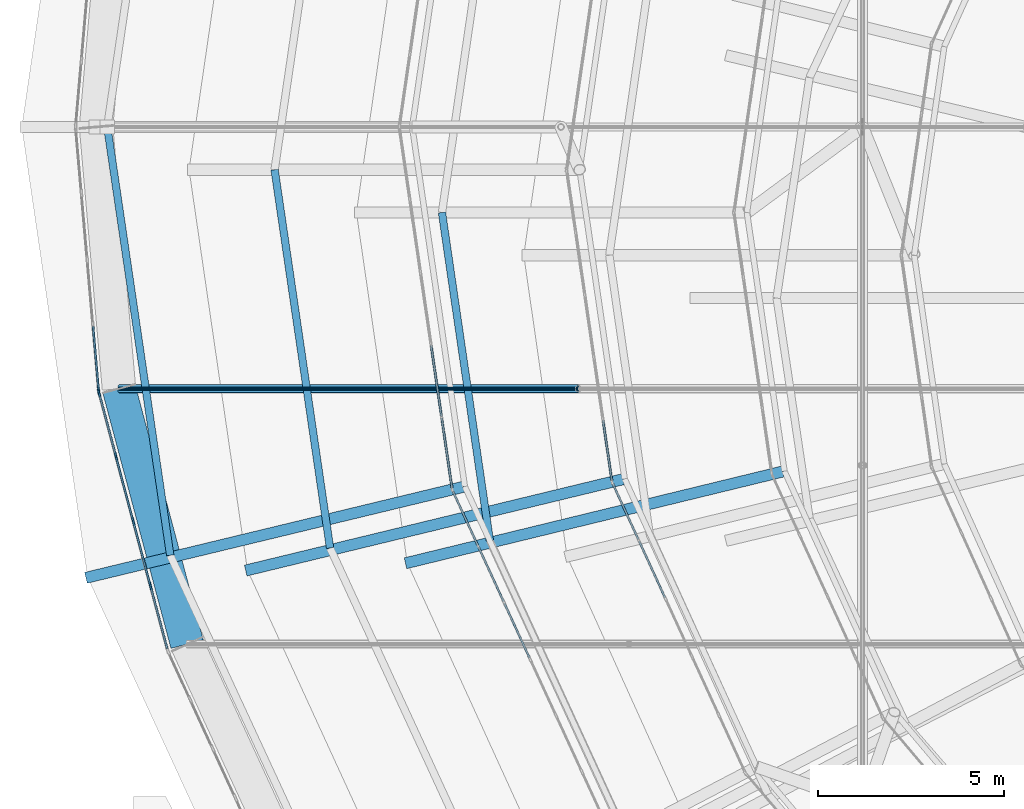
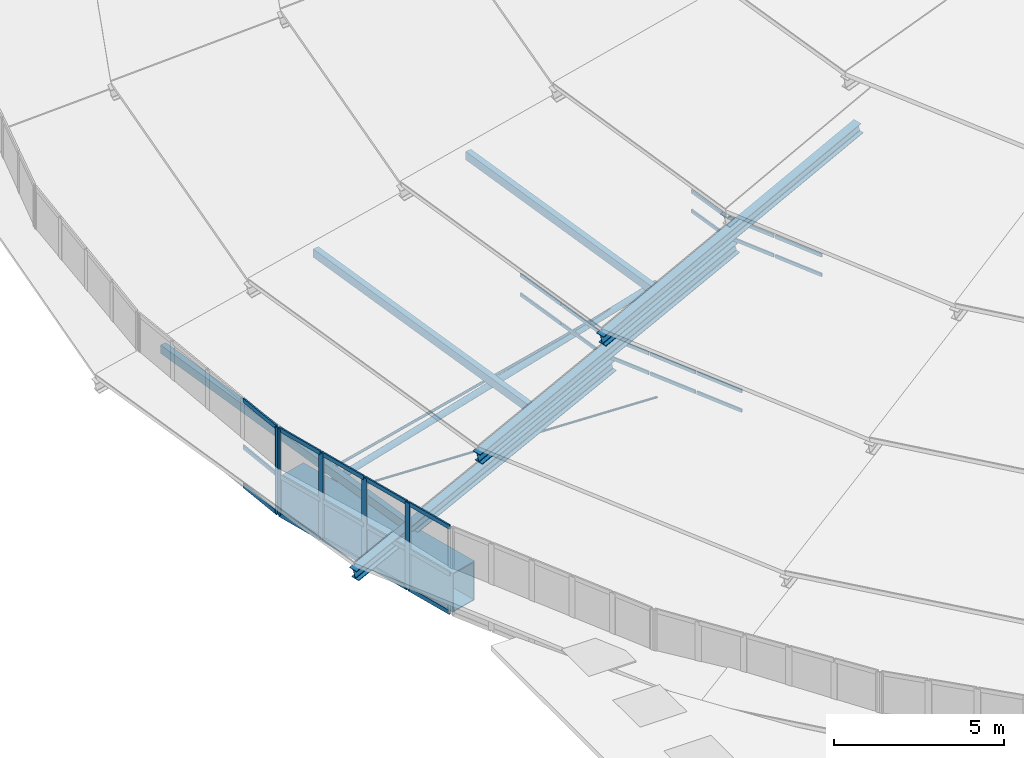
# One storey, part 31 of 173: 45 members, 1 beam, 6 elements without a shape of their own.
"""IFC4 building model written with IfcOpenShell, lengths in metres."""

from ifc_helpers import new_model, si_unit, direction, frame, origin, origin_2d, place, context, subcontext, project, spatial, rectangle, hollow_rectangle, circle, hollow_circle, i_section, extrude, material, material_profile, profile_set, type_object, element, aggregate, save


model = new_model("IFC4")

# Units and contexts
model_context = context("Model", 3, precision=1e-05, world=origin(), true_north=direction((0.0, 1.0)))
body_context = subcontext(model_context, "Body", "Model", "MODEL_VIEW")
ifc_project = project(units=[si_unit("LENGTHUNIT", "METRE"), si_unit("AREAUNIT", "SQUARE_METRE"), si_unit("VOLUMEUNIT", "CUBIC_METRE"), si_unit("PLANEANGLEUNIT", "RADIAN"), si_unit("MASSUNIT", "GRAM", prefix="KILO")], contexts=[model_context])

# Site, building, storey
site_placement = place(None, origin())
site = spatial("IfcSite", under=ifc_project, at=site_placement, CompositionType="ELEMENT")
building_placement = place(site_placement, origin())
building = spatial("IfcBuilding", under=site, at=building_placement, Name="Glasvene Arena", CompositionType="ELEMENT")
storey_placement = place(building_placement, frame((0.0, 0.0, 28.800048828125)))
storey = spatial("IfcBuildingStorey", under=building, at=storey_placement, Name="RF", CompositionType="ELEMENT", Elevation=28.800048828125)

# Beam
ifc_material_1 = material(Name="Steel S355J2", Category="steel")
ifc_material_profile_1 = material_profile(ifc_material_1, hollow_rectangle(XDim=0.89990234375, YDim=1.39990234375, WallThickness=0.034912109375, at=origin_2d()), Name="WBOX 900x1400x35")
ifc_profile_set_1 = profile_set([ifc_material_profile_1], Name="Steel S355J2")
beam_type = type_object("IfcBeamType", Name="BM-RING-BOX1400", PredefinedType="USERDEFINED", material=ifc_profile_set_1)
beam_placement = place(storey_placement, frame((42.615478515625, 65.96044921875, -0.699951171875), z_axis=(0.257767425424, -0.966206993553, 0.0), x_axis=(0.966206993553, 0.257767425424, 0.0)))
element("IfcBeam", 1, at=beam_placement, inside=storey, type_object=beam_type, Name="Compression ring beam chord RB-22", ObjectType="RING BEAM", PredefinedType="USERDEFINED", context=body_context, shape_type="SweptSolid", body=[
    extrude(hollow_rectangle(XDim=0.89990234375, YDim=1.39990234375, WallThickness=0.034912109375, at=origin_2d()), origin(), (0.0, 0.0, 1.0), 7.1064453125),
])

# Curtain wall, member
ifc_material_2 = material(Name="Low-emissivity laminated double glazing", Category="glass")
curtain_wall_type_1 = type_object("IfcCurtainWallType", Name="CW-DRUM-715x310", PredefinedType="USERDEFINED", material=ifc_material_2)
curtain_wall_1_placement = place(storey_placement, frame((41.449951171875, 73.0, 0.0)))
curtain_wall_1 = element("IfcCurtainWall", 2, at=curtain_wall_1_placement, inside=storey, type_object=curtain_wall_type_1, Name="Crown compression-ring fascia curtain wall 21", ObjectType="CURTAIN WALL", PredefinedType="USERDEFINED")
ifc_material_3 = material(Name="Anodised architectural aluminium", Category="aluminium")
ifc_material_profile_2 = material_profile(ifc_material_3, rectangle(XDim=0.050048828125, YDim=0.199951171875, at=origin_2d()), Name="ALU MULLION 50x200")
ifc_profile_set_2 = profile_set([ifc_material_profile_2], Name="Anodised architectural aluminium")
member_type_1 = type_object("IfcMemberType", Name="CW-MUL-180", PredefinedType="MULLION", material=ifc_profile_set_2)
member_1_placement = place(storey_placement, frame((42.0703125, 65.8994140625, -1.380126953125), z_axis=(0.0, 0.0, 1.0), x_axis=(0.996206938771, 0.0870157178, 0.0)))
member_1 = element("IfcMember", 3, at=member_1_placement, type_object=member_type_1, Name="CW-071 mullion 5", PredefinedType="MULLION", context=body_context, shape_type="SweptSolid", body=[
    extrude(rectangle(XDim=0.050048828125, YDim=0.199951171875, at=origin_2d()), origin(), (0.0, 0.0, 1.0), 3.10009765625),
])

# Curtain wall, members
curtain_wall_type_2 = type_object("IfcCurtainWallType", Name="CW-DRUM-719x310", PredefinedType="USERDEFINED", material=ifc_material_2)
curtain_wall_2_placement = place(storey_placement, frame((42.072509765625, 65.87451171875, 0.0)))
curtain_wall_2 = element("IfcCurtainWall", 4, at=curtain_wall_2_placement, inside=storey, type_object=curtain_wall_type_2, Name="Crown compression-ring fascia curtain wall 22", ObjectType="CURTAIN WALL", PredefinedType="USERDEFINED")
member_2_placement = place(storey_placement, frame((42.078857421875, 65.850341796875, -1.380126953125), z_axis=(0.0, 0.0, 1.0), x_axis=(0.966292374807, 0.257447172039, 0.0)))
member_2 = element("IfcMember", 5, at=member_2_placement, type_object=member_type_1, Name="CW-072 mullion 1", PredefinedType="MULLION", context=body_context, shape_type="SweptSolid", body=[
    extrude(rectangle(XDim=0.050048828125, YDim=0.199951171875, at=origin_2d()), origin(), (0.0, 0.0, 1.0), 3.10009765625),
])
member_3_placement = place(storey_placement, frame((42.535400390625, 64.136962890625, -1.380126953125), z_axis=(0.0, 0.0, 1.0), x_axis=(0.966292374807, 0.257447172039, 0.0)))
member_3 = element("IfcMember", 6, at=member_3_placement, type_object=member_type_1, Name="CW-072 mullion 2", PredefinedType="MULLION", context=body_context, shape_type="SweptSolid", body=[
    extrude(rectangle(XDim=0.050048828125, YDim=0.199951171875, at=origin_2d()), origin(), (0.0, 0.0, 1.0), 3.10009765625),
])
member_4_placement = place(storey_placement, frame((42.998291015625, 62.3994140625, -1.380126953125), z_axis=(0.0, 0.0, 1.0), x_axis=(0.966292374807, 0.257447172039, 0.0)))
member_4 = element("IfcMember", 7, at=member_4_placement, type_object=member_type_1, Name="CW-072 mullion 3", PredefinedType="MULLION", context=body_context, shape_type="SweptSolid", body=[
    extrude(rectangle(XDim=0.050048828125, YDim=0.199951171875, at=origin_2d()), origin(), (0.0, 0.0, 1.0), 3.10009765625),
])
member_5_placement = place(storey_placement, frame((43.461181640625, 60.661865234375, -1.380126953125), z_axis=(0.0, 0.0, 1.0), x_axis=(0.966292374807, 0.257447172039, 0.0)))
member_5 = element("IfcMember", 8, at=member_5_placement, type_object=member_type_1, Name="CW-072 mullion 4", PredefinedType="MULLION", context=body_context, shape_type="SweptSolid", body=[
    extrude(rectangle(XDim=0.050048828125, YDim=0.199951171875, at=origin_2d()), origin(), (0.0, 0.0, 1.0), 3.10009765625),
])

curtain_wall_type_3 = type_object("IfcCurtainWallType", Name="CW-PET1-986x75", PredefinedType="USERDEFINED", material=ifc_material_2)
curtain_wall_3_placement = place(storey_placement, frame((50.14990234375, 73.0, 0.0)))
curtain_wall_3 = element("IfcCurtainWall", 9, at=curtain_wall_3_placement, inside=storey, type_object=curtain_wall_type_3, Name="Petal ring 1-2 clerestory curtain wall 13", ObjectType="CURTAIN WALL", PredefinedType="USERDEFINED")
ifc_material_profile_3 = material_profile(ifc_material_3, rectangle(XDim=0.050048828125, YDim=0.1201171875, at=origin_2d()), Name="ALU TRANSOM 50x120")
ifc_profile_set_3 = profile_set([ifc_material_profile_3], Name="Anodised architectural aluminium")
member_type_2 = type_object("IfcMemberType", Name="CW-TRN-120", PredefinedType="USERDEFINED", material=ifc_profile_set_3)
member_6_placement = place(storey_placement, frame((51.00927734375, 67.120849609375, 2.60498046875), z_axis=(0.144532293107, -0.989500084007, 0.0), x_axis=(0.989500084007, 0.144532293107, 0.0)))
member_6 = element("IfcMember", 10, at=member_6_placement, type_object=member_type_2, Name="CW-081 transom 4.1", ObjectType="TRANSOM", PredefinedType="USERDEFINED", context=body_context, shape_type="SweptSolid", body=[
    extrude(rectangle(XDim=0.050048828125, YDim=0.1201171875, at=origin_2d()), origin(), (0.0, 0.0, 1.0), 1.92236328125),
])
member_7_placement = place(storey_placement, frame((51.00927734375, 67.120849609375, 3.304931640625), z_axis=(0.144532293107, -0.989500084007, 0.0), x_axis=(0.989500084007, 0.144532293107, 0.0)))
member_7 = element("IfcMember", 11, at=member_7_placement, type_object=member_type_2, Name="CW-081 transom 4.2", ObjectType="TRANSOM", PredefinedType="USERDEFINED", context=body_context, shape_type="SweptSolid", body=[
    extrude(rectangle(XDim=0.050048828125, YDim=0.1201171875, at=origin_2d()), origin(), (0.0, 0.0, 1.0), 1.92236328125),
])
member_8_placement = place(storey_placement, frame((51.29443359375, 65.169189453125, 2.60498046875), z_axis=(0.144645532011, -0.989483537038, 0.0), x_axis=(0.989483537038, 0.144645532011, 0.0)))
member_8 = element("IfcMember", 12, at=member_8_placement, type_object=member_type_2, Name="CW-081 transom 5.1", ObjectType="TRANSOM", PredefinedType="USERDEFINED", context=body_context, shape_type="SweptSolid", body=[
    extrude(rectangle(XDim=0.050048828125, YDim=0.1201171875, at=origin_2d()), origin(), (0.0, 0.0, 1.0), 1.897216796875),
])
member_9_placement = place(storey_placement, frame((51.29443359375, 65.169189453125, 3.304931640625), z_axis=(0.144645532011, -0.989483537038, 0.0), x_axis=(0.989483537038, 0.144645532011, 0.0)))
member_9 = element("IfcMember", 13, at=member_9_placement, type_object=member_type_2, Name="CW-081 transom 5.2", ObjectType="TRANSOM", PredefinedType="USERDEFINED", context=body_context, shape_type="SweptSolid", body=[
    extrude(rectangle(XDim=0.050048828125, YDim=0.1201171875, at=origin_2d()), origin(), (0.0, 0.0, 1.0), 1.897216796875),
])
aggregate(curtain_wall_3, [member_6, member_7, member_8, member_9])

curtain_wall_type_4 = type_object("IfcCurtainWallType", Name="CW-PET1-1001x75", PredefinedType="USERDEFINED", material=ifc_material_2)
curtain_wall_4_placement = place(storey_placement, frame((51.575927734375, 63.242431640625, 0.0)))
curtain_wall_4 = element("IfcCurtainWall", 14, at=curtain_wall_4_placement, inside=storey, type_object=curtain_wall_type_4, Name="Petal ring 1-2 clerestory curtain wall 14", ObjectType="CURTAIN WALL", PredefinedType="USERDEFINED")
member_10_placement = place(storey_placement, frame((51.596923828125, 63.197021484375, 2.60498046875), z_axis=(0.417794288464, -0.908541651509, 0.0), x_axis=(0.908541651509, 0.417794288464, 0.0)))
member_10 = element("IfcMember", 15, at=member_10_placement, type_object=member_type_2, Name="CW-082 transom 1.1", ObjectType="TRANSOM", PredefinedType="USERDEFINED", context=body_context, shape_type="SweptSolid", body=[
    extrude(rectangle(XDim=0.050048828125, YDim=0.1201171875, at=origin_2d()), origin(), (0.0, 0.0, 1.0), 1.593017578125),
])
member_11_placement = place(storey_placement, frame((51.596923828125, 63.197021484375, 3.304931640625), z_axis=(0.417794288464, -0.908541651509, 0.0), x_axis=(0.908541651509, 0.417794288464, 0.0)))
member_11 = element("IfcMember", 16, at=member_11_placement, type_object=member_type_2, Name="CW-082 transom 1.2", ObjectType="TRANSOM", PredefinedType="USERDEFINED", context=body_context, shape_type="SweptSolid", body=[
    extrude(rectangle(XDim=0.050048828125, YDim=0.1201171875, at=origin_2d()), origin(), (0.0, 0.0, 1.0), 1.593017578125),
])
member_12_placement = place(storey_placement, frame((52.283203125, 61.704345703125, 2.60498046875), z_axis=(0.417823409802, -0.908528259451, 0.0), x_axis=(0.908528259451, 0.417823409802, 0.0)))
member_12 = element("IfcMember", 17, at=member_12_placement, type_object=member_type_2, Name="CW-082 transom 2.1", ObjectType="TRANSOM", PredefinedType="USERDEFINED", context=body_context, shape_type="SweptSolid", body=[
    extrude(rectangle(XDim=0.050048828125, YDim=0.1201171875, at=origin_2d()), origin(), (0.0, 0.0, 1.0), 1.617919921875),
])
member_13_placement = place(storey_placement, frame((52.283203125, 61.704345703125, 3.304931640625), z_axis=(0.417823409802, -0.908528259451, 0.0), x_axis=(0.908528259451, 0.417823409802, 0.0)))
member_13 = element("IfcMember", 18, at=member_13_placement, type_object=member_type_2, Name="CW-082 transom 2.2", ObjectType="TRANSOM", PredefinedType="USERDEFINED", context=body_context, shape_type="SweptSolid", body=[
    extrude(rectangle(XDim=0.050048828125, YDim=0.1201171875, at=origin_2d()), origin(), (0.0, 0.0, 1.0), 1.617919921875),
])
member_14_placement = place(storey_placement, frame((52.97998046875, 60.18896484375, 2.60498046875), z_axis=(0.417823409802, -0.908528259451, 0.0), x_axis=(0.908528259451, 0.417823409802, 0.0)))
member_14 = element("IfcMember", 19, at=member_14_placement, type_object=member_type_2, Name="CW-082 transom 3.1", ObjectType="TRANSOM", PredefinedType="USERDEFINED", context=body_context, shape_type="SweptSolid", body=[
    extrude(rectangle(XDim=0.050048828125, YDim=0.1201171875, at=origin_2d()), origin(), (0.0, 0.0, 1.0), 1.617919921875),
])
member_15_placement = place(storey_placement, frame((52.97998046875, 60.18896484375, 3.304931640625), z_axis=(0.417823409802, -0.908528259451, 0.0), x_axis=(0.908528259451, 0.417823409802, 0.0)))
member_15 = element("IfcMember", 20, at=member_15_placement, type_object=member_type_2, Name="CW-082 transom 3.2", ObjectType="TRANSOM", PredefinedType="USERDEFINED", context=body_context, shape_type="SweptSolid", body=[
    extrude(rectangle(XDim=0.050048828125, YDim=0.1201171875, at=origin_2d()), origin(), (0.0, 0.0, 1.0), 1.617919921875),
])
aggregate(curtain_wall_4, [member_10, member_11, member_12, member_13, member_14, member_15])

curtain_wall_type_5 = type_object("IfcCurtainWallType", Name="CW-PET2-849x75", PredefinedType="USERDEFINED", material=ifc_material_2)
curtain_wall_5_placement = place(storey_placement, frame((54.64990234375, 71.85009765625, 0.0)))
curtain_wall_5 = element("IfcCurtainWall", 21, at=curtain_wall_5_placement, inside=storey, type_object=curtain_wall_type_5, Name="Petal ring 2-3 clerestory curtain wall 13", ObjectType="CURTAIN WALL", PredefinedType="USERDEFINED")
member_16_placement = place(storey_placement, frame((55.63232421875, 65.106201171875, 5.204833984375), z_axis=(0.144159545441, -0.989554458056, 0.0), x_axis=(0.989554458056, 0.144159545441, 0.0)))
member_16 = element("IfcMember", 22, at=member_16_placement, type_object=member_type_2, Name="CW-087 transom 5.1", ObjectType="TRANSOM", PredefinedType="USERDEFINED", context=body_context, shape_type="SweptSolid", body=[
    extrude(rectangle(XDim=0.050048828125, YDim=0.1201171875, at=origin_2d()), origin(), (0.0, 0.0, 1.0), 1.622314453125),
])
member_17_placement = place(storey_placement, frame((55.63232421875, 65.106201171875, 5.905029296875), z_axis=(0.144159545441, -0.989554458056, 0.0), x_axis=(0.989554458056, 0.144159545441, 0.0)))
member_17 = element("IfcMember", 23, at=member_17_placement, type_object=member_type_2, Name="CW-087 transom 5.2", ObjectType="TRANSOM", PredefinedType="USERDEFINED", context=body_context, shape_type="SweptSolid", body=[
    extrude(rectangle(XDim=0.050048828125, YDim=0.1201171875, at=origin_2d()), origin(), (0.0, 0.0, 1.0), 1.622314453125),
])
aggregate(curtain_wall_5, [member_16, member_17])

curtain_wall_type_6 = type_object("IfcCurtainWallType", Name="CW-PET2-861x75", PredefinedType="USERDEFINED", material=ifc_material_2)
curtain_wall_6_placement = place(storey_placement, frame((55.873291015625, 63.451416015625, 0.0)))
curtain_wall_6 = element("IfcCurtainWall", 24, at=curtain_wall_6_placement, inside=storey, type_object=curtain_wall_type_6, Name="Petal ring 2-3 clerestory curtain wall 14", ObjectType="CURTAIN WALL", PredefinedType="USERDEFINED")
member_18_placement = place(storey_placement, frame((55.89404296875, 63.40576171875, 5.204833984375), z_axis=(0.416593451122, -0.909092897609, 0.0), x_axis=(0.909092897609, 0.416593451122, 0.0)))
member_18 = element("IfcMember", 25, at=member_18_placement, type_object=member_type_2, Name="CW-088 transom 1.1", ObjectType="TRANSOM", PredefinedType="USERDEFINED", context=body_context, shape_type="SweptSolid", body=[
    extrude(rectangle(XDim=0.050048828125, YDim=0.1201171875, at=origin_2d()), origin(), (0.0, 0.0, 1.0), 1.646728515625),
])
member_19_placement = place(storey_placement, frame((55.89404296875, 63.40576171875, 5.905029296875), z_axis=(0.416593451122, -0.909092897609, 0.0), x_axis=(0.909092897609, 0.416593451122, 0.0)))
member_19 = element("IfcMember", 26, at=member_19_placement, type_object=member_type_2, Name="CW-088 transom 1.2", ObjectType="TRANSOM", PredefinedType="USERDEFINED", context=body_context, shape_type="SweptSolid", body=[
    extrude(rectangle(XDim=0.050048828125, YDim=0.1201171875, at=origin_2d()), origin(), (0.0, 0.0, 1.0), 1.646728515625),
])
member_20_placement = place(storey_placement, frame((56.60107421875, 61.86328125, 5.204833984375), z_axis=(0.416518928458, -0.909127044057, 0.0), x_axis=(0.909127044057, 0.416518928458, 0.0)))
member_20 = element("IfcMember", 27, at=member_20_placement, type_object=member_type_2, Name="CW-088 transom 2.1", ObjectType="TRANSOM", PredefinedType="USERDEFINED", context=body_context, shape_type="SweptSolid", body=[
    extrude(rectangle(XDim=0.050048828125, YDim=0.1201171875, at=origin_2d()), origin(), (0.0, 0.0, 1.0), 1.671630859375),
])
member_21_placement = place(storey_placement, frame((56.60107421875, 61.86328125, 5.905029296875), z_axis=(0.416518928458, -0.909127044057, 0.0), x_axis=(0.909127044057, 0.416518928458, 0.0)))
member_21 = element("IfcMember", 28, at=member_21_placement, type_object=member_type_2, Name="CW-088 transom 2.2", ObjectType="TRANSOM", PredefinedType="USERDEFINED", context=body_context, shape_type="SweptSolid", body=[
    extrude(rectangle(XDim=0.050048828125, YDim=0.1201171875, at=origin_2d()), origin(), (0.0, 0.0, 1.0), 1.671630859375),
])
aggregate(curtain_wall_6, [member_18, member_19, member_20, member_21])

# Member
ifc_material_profile_4 = material_profile(ifc_material_3, rectangle(XDim=0.050048828125, YDim=0.14990234375, at=origin_2d()), Name="ALU TRANSOM 50x150")
ifc_profile_set_4 = profile_set([ifc_material_profile_4], Name="Anodised architectural aluminium")
member_type_3 = type_object("IfcMemberType", Name="CW-TRN-150", PredefinedType="USERDEFINED", material=ifc_profile_set_4)
member_22_placement = place(storey_placement, frame((41.9189453125, 67.630859375, -1.35498046875), z_axis=(0.087078552921, -0.996201448313, 0.0), x_axis=(0.996201448313, 0.087078552921, 0.0)))
member_22 = element("IfcMember", 29, at=member_22_placement, type_object=member_type_3, Name="CW-071 transom 4.1", ObjectType="TRANSOM", PredefinedType="USERDEFINED", context=body_context, shape_type="SweptSolid", body=[
    extrude(rectangle(XDim=0.050048828125, YDim=0.14990234375, at=origin_2d()), origin(), (0.0, 0.0, 1.0), 1.713134765625),
])

member_23_placement = place(storey_placement, frame((41.9189453125, 67.630859375, 0.02001953125), z_axis=(0.087078552921, -0.996201448313, 0.0), x_axis=(0.996201448313, 0.087078552921, 0.0)))
member_23 = element("IfcMember", 30, at=member_23_placement, type_object=member_type_3, Name="CW-071 transom 4.2", ObjectType="TRANSOM", PredefinedType="USERDEFINED", context=body_context, shape_type="SweptSolid", body=[
    extrude(rectangle(XDim=0.050048828125, YDim=0.14990234375, at=origin_2d()), origin(), (0.0, 0.0, 1.0), 1.713134765625),
])

member_24_placement = place(storey_placement, frame((41.9189453125, 67.630859375, 1.695068359375), z_axis=(0.087078552921, -0.996201448313, 0.0), x_axis=(0.996201448313, 0.087078552921, 0.0)))
member_24 = element("IfcMember", 31, at=member_24_placement, type_object=member_type_3, Name="CW-071 transom 4.3", ObjectType="TRANSOM", PredefinedType="USERDEFINED", context=body_context, shape_type="SweptSolid", body=[
    extrude(rectangle(XDim=0.050048828125, YDim=0.14990234375, at=origin_2d()), origin(), (0.0, 0.0, 1.0), 1.713134765625),
])

aggregate(curtain_wall_1, [member_1, member_22, member_23, member_24])

member_25_placement = place(storey_placement, frame((42.085205078125, 65.826171875, -1.35498046875), z_axis=(0.257442179184, -0.966293705028, 0.0), x_axis=(0.966293705028, 0.257442179184, 0.0)))
member_25 = element("IfcMember", 32, at=member_25_placement, type_object=member_type_3, Name="CW-072 transom 1.1", ObjectType="TRANSOM", PredefinedType="USERDEFINED", context=body_context, shape_type="SweptSolid", body=[
    extrude(rectangle(XDim=0.050048828125, YDim=0.14990234375, at=origin_2d()), origin(), (0.0, 0.0, 1.0), 1.72314453125),
])

member_26_placement = place(storey_placement, frame((42.085205078125, 65.826171875, 0.02001953125), z_axis=(0.257442179184, -0.966293705028, 0.0), x_axis=(0.966293705028, 0.257442179184, 0.0)))
member_26 = element("IfcMember", 33, at=member_26_placement, type_object=member_type_3, Name="CW-072 transom 1.2", ObjectType="TRANSOM", PredefinedType="USERDEFINED", context=body_context, shape_type="SweptSolid", body=[
    extrude(rectangle(XDim=0.050048828125, YDim=0.14990234375, at=origin_2d()), origin(), (0.0, 0.0, 1.0), 1.72314453125),
])

member_27_placement = place(storey_placement, frame((42.085205078125, 65.826171875, 1.695068359375), z_axis=(0.257442179184, -0.966293705028, 0.0), x_axis=(0.966293705028, 0.257442179184, 0.0)))
member_27 = element("IfcMember", 34, at=member_27_placement, type_object=member_type_3, Name="CW-072 transom 1.3", ObjectType="TRANSOM", PredefinedType="USERDEFINED", context=body_context, shape_type="SweptSolid", body=[
    extrude(rectangle(XDim=0.050048828125, YDim=0.14990234375, at=origin_2d()), origin(), (0.0, 0.0, 1.0), 1.72314453125),
])

member_28_placement = place(storey_placement, frame((42.541748046875, 64.11279296875, -1.35498046875), z_axis=(0.257393172293, -0.966306760225, 0.0), x_axis=(0.966306760225, 0.257393172293, 0.0)))
member_28 = element("IfcMember", 35, at=member_28_placement, type_object=member_type_3, Name="CW-072 transom 2.1", ObjectType="TRANSOM", PredefinedType="USERDEFINED", context=body_context, shape_type="SweptSolid", body=[
    extrude(rectangle(XDim=0.050048828125, YDim=0.14990234375, at=origin_2d()), origin(), (0.0, 0.0, 1.0), 1.748046875),
])

member_29_placement = place(storey_placement, frame((42.541748046875, 64.11279296875, 0.02001953125), z_axis=(0.257393172293, -0.966306760225, 0.0), x_axis=(0.966306760225, 0.257393172293, 0.0)))
member_29 = element("IfcMember", 36, at=member_29_placement, type_object=member_type_3, Name="CW-072 transom 2.2", ObjectType="TRANSOM", PredefinedType="USERDEFINED", context=body_context, shape_type="SweptSolid", body=[
    extrude(rectangle(XDim=0.050048828125, YDim=0.14990234375, at=origin_2d()), origin(), (0.0, 0.0, 1.0), 1.748046875),
])

member_30_placement = place(storey_placement, frame((42.541748046875, 64.11279296875, 1.695068359375), z_axis=(0.257393172293, -0.966306760225, 0.0), x_axis=(0.966306760225, 0.257393172293, 0.0)))
member_30 = element("IfcMember", 37, at=member_30_placement, type_object=member_type_3, Name="CW-072 transom 2.3", ObjectType="TRANSOM", PredefinedType="USERDEFINED", context=body_context, shape_type="SweptSolid", body=[
    extrude(rectangle(XDim=0.050048828125, YDim=0.14990234375, at=origin_2d()), origin(), (0.0, 0.0, 1.0), 1.748046875),
])

member_31_placement = place(storey_placement, frame((43.004638671875, 62.375244140625, -1.35498046875), z_axis=(0.257523572506, -0.966272016362, 0.0), x_axis=(0.966272016362, 0.257523572506, 0.0)))
member_31 = element("IfcMember", 38, at=member_31_placement, type_object=member_type_3, Name="CW-072 transom 3.1", ObjectType="TRANSOM", PredefinedType="USERDEFINED", context=body_context, shape_type="SweptSolid", body=[
    extrude(rectangle(XDim=0.050048828125, YDim=0.14990234375, at=origin_2d()), origin(), (0.0, 0.0, 1.0), 1.748291015625),
])

member_32_placement = place(storey_placement, frame((43.004638671875, 62.375244140625, 0.02001953125), z_axis=(0.257523572506, -0.966272016362, 0.0), x_axis=(0.966272016362, 0.257523572506, 0.0)))
member_32 = element("IfcMember", 39, at=member_32_placement, type_object=member_type_3, Name="CW-072 transom 3.2", ObjectType="TRANSOM", PredefinedType="USERDEFINED", context=body_context, shape_type="SweptSolid", body=[
    extrude(rectangle(XDim=0.050048828125, YDim=0.14990234375, at=origin_2d()), origin(), (0.0, 0.0, 1.0), 1.748291015625),
])

member_33_placement = place(storey_placement, frame((43.004638671875, 62.375244140625, 1.695068359375), z_axis=(0.257523572506, -0.966272016362, 0.0), x_axis=(0.966272016362, 0.257523572506, 0.0)))
member_33 = element("IfcMember", 40, at=member_33_placement, type_object=member_type_3, Name="CW-072 transom 3.3", ObjectType="TRANSOM", PredefinedType="USERDEFINED", context=body_context, shape_type="SweptSolid", body=[
    extrude(rectangle(XDim=0.050048828125, YDim=0.14990234375, at=origin_2d()), origin(), (0.0, 0.0, 1.0), 1.748291015625),
])

member_34_placement = place(storey_placement, frame((43.467529296875, 60.6376953125, -1.35498046875), z_axis=(0.257442179184, -0.966293705028, 0.0), x_axis=(0.966293705028, 0.257442179184, 0.0)))
member_34 = element("IfcMember", 41, at=member_34_placement, type_object=member_type_3, Name="CW-072 transom 4.1", ObjectType="TRANSOM", PredefinedType="USERDEFINED", context=body_context, shape_type="SweptSolid", body=[
    extrude(rectangle(XDim=0.050048828125, YDim=0.14990234375, at=origin_2d()), origin(), (0.0, 0.0, 1.0), 1.72314453125),
])

member_35_placement = place(storey_placement, frame((43.467529296875, 60.6376953125, 0.02001953125), z_axis=(0.257442179184, -0.966293705028, 0.0), x_axis=(0.966293705028, 0.257442179184, 0.0)))
member_35 = element("IfcMember", 42, at=member_35_placement, type_object=member_type_3, Name="CW-072 transom 4.2", ObjectType="TRANSOM", PredefinedType="USERDEFINED", context=body_context, shape_type="SweptSolid", body=[
    extrude(rectangle(XDim=0.050048828125, YDim=0.14990234375, at=origin_2d()), origin(), (0.0, 0.0, 1.0), 1.72314453125),
])

member_36_placement = place(storey_placement, frame((43.467529296875, 60.6376953125, 1.695068359375), z_axis=(0.257442179184, -0.966293705028, 0.0), x_axis=(0.966293705028, 0.257442179184, 0.0)))
member_36 = element("IfcMember", 43, at=member_36_placement, type_object=member_type_3, Name="CW-072 transom 4.3", ObjectType="TRANSOM", PredefinedType="USERDEFINED", context=body_context, shape_type="SweptSolid", body=[
    extrude(rectangle(XDim=0.050048828125, YDim=0.14990234375, at=origin_2d()), origin(), (0.0, 0.0, 1.0), 1.72314453125),
])

aggregate(curtain_wall_2, [member_2, member_3, member_4, member_5, member_25, member_26, member_27, member_28, member_29, member_30, member_31, member_32, member_33, member_34, member_35, member_36])

# Members
ifc_material_4 = material(Name="High-strength steel spiral strand S460", Category="steel")
ifc_material_profile_5 = material_profile(ifc_material_4, circle(Radius=0.03759765625, at=origin_2d()), Name="LCSS D75")
ifc_profile_set_5 = profile_set([ifc_material_profile_5], Name="High-strength steel spiral strand S460")
member_type_4 = type_object("IfcMemberType", Name="MB-CABLE-75", PredefinedType="USERDEFINED", material=ifc_profile_set_5)
member_37_placement = place(storey_placement, frame((42.615478515625, 65.96044921875, -1.320068359375), z_axis=(0.999385261069, 0.0, -0.035058521913), x_axis=(0.0, 1.0, 0.0)))
element("IfcMember", 44, at=member_37_placement, inside=storey, type_object=member_type_4, Name="Lower stabilization roof cable EW03-01", ObjectType="ROOF CABLE", PredefinedType="USERDEFINED", context=body_context, shape_type="SweptSolid", body=[
    extrude(circle(Radius=0.03759765625, at=origin_2d()), origin(), (0.0, 0.0, 1.0), 12.353759765625),
])
ifc_material_profile_6 = material_profile(ifc_material_4, circle(Radius=0.044921875, at=origin_2d()), Name="LCSS D90")
ifc_profile_set_6 = profile_set([ifc_material_profile_6], Name="High-strength steel spiral strand S460")
member_type_5 = type_object("IfcMemberType", Name="MB-CABLE-90", PredefinedType="USERDEFINED", material=ifc_profile_set_6)
member_38_placement = place(storey_placement, frame((42.615478515625, 65.96044921875, -0.780029296875), z_axis=(0.96972824752, 0.0, 0.24418666213), x_axis=(0.0, 1.0, 0.0)))
element("IfcMember", 45, at=member_38_placement, inside=storey, type_object=member_type_5, Name="Upper lens roof cable EW03-01", ObjectType="ROOF CABLE", PredefinedType="USERDEFINED", context=body_context, shape_type="SweptSolid", body=[
    extrude(circle(Radius=0.044921875, at=origin_2d()), origin(), (0.0, 0.0, 1.0), 12.731689453125),
])
ifc_material_profile_7 = material_profile(ifc_material_1, i_section(OverallWidth=0.300048828125, OverallDepth=0.39990234375, WebThickness=0.013427734375, FlangeThickness=0.02392578125, FilletRadius=0.027099609375, at=origin_2d()), Name="HEB 400")
ifc_profile_set_7 = profile_set([ifc_material_profile_7], Name="Steel S355J2")
member_type_6 = type_object("IfcMemberType", Name="MB-CHORD-HEB400", PredefinedType="CHORD", material=ifc_profile_set_7)
member_39_placement = place(storey_placement, frame((41.77197265625, 60.88720703125, -0.400146484375), z_axis=(0.945368761704, 0.227979015328, 0.233031055795), x_axis=(-0.234433124854, 0.972132249219, 0.0)))
element("IfcMember", 46, at=member_39_placement, inside=storey, type_object=member_type_6, Name="Petal ring 1 radial rib 14", PredefinedType="CHORD", context=body_context, shape_type="SweptSolid", body=[
    extrude(i_section(OverallWidth=0.300048828125, OverallDepth=0.39990234375, WebThickness=0.013427734375, FlangeThickness=0.02392578125, FilletRadius=0.027099609375, at=origin_2d()), origin(), (0.0, 0.0, 1.0), 10.728271484375),
])
member_40_placement = place(storey_placement, frame((46.069091796875, 61.0830078125, 2.14990234375), z_axis=(0.944146379395, 0.228547879043, 0.237388881921), x_axis=(-0.235273235128, 0.97192926946, 0.0)))
element("IfcMember", 47, at=member_40_placement, inside=storey, type_object=member_type_6, Name="Petal ring 2 radial rib 14", PredefinedType="CHORD", context=body_context, shape_type="SweptSolid", body=[
    extrude(i_section(OverallWidth=0.300048828125, OverallDepth=0.39990234375, WebThickness=0.013427734375, FlangeThickness=0.02392578125, FilletRadius=0.027099609375, at=origin_2d()), origin(), (0.0, 0.0, 1.0), 10.7421875),
])
member_41_placement = place(storey_placement, frame((50.366455078125, 61.279052734375, 4.75), z_axis=(0.942863727983, 0.229326828452, 0.241696496059), x_axis=(-0.236333673575, 0.971671958397, 0.0)))
element("IfcMember", 48, at=member_41_placement, inside=storey, type_object=member_type_6, Name="Petal ring 3 radial rib 14", PredefinedType="CHORD", context=body_context, shape_type="SweptSolid", body=[
    extrude(i_section(OverallWidth=0.300048828125, OverallDepth=0.39990234375, WebThickness=0.013427734375, FlangeThickness=0.02392578125, FilletRadius=0.027099609375, at=origin_2d()), origin(), (0.0, 0.0, 1.0), 10.756591796875),
])
ifc_material_profile_8 = material_profile(ifc_material_1, hollow_rectangle(XDim=0.199951171875, YDim=0.300048828125, WallThickness=0.012451171875, at=origin_2d()), Name="RHS 300x200x12.5")
ifc_profile_set_8 = profile_set([ifc_material_profile_8], Name="Steel S355J2")
member_type_7 = type_object("IfcMemberType", Name="MB-PURLIN-RHS300", PredefinedType="PURLIN", material=ifc_profile_set_8)
member_42_placement = place(storey_placement, frame((42.300048828125, 73.0, 0.16748046875), z_axis=(0.145463198045, -0.989363663177, 0.0), x_axis=(0.989363663177, 0.145463198045, 0.0)))
element("IfcMember", 49, at=member_42_placement, inside=storey, type_object=member_type_7, Name="Petal ring 1 outer purlin 13", PredefinedType="PURLIN", context=body_context, shape_type="SweptSolid", body=[
    extrude(hollow_rectangle(XDim=0.199951171875, YDim=0.300048828125, WallThickness=0.012451171875, at=origin_2d()), origin(), (0.0, 0.0, 1.0), 11.64111328125),
])
member_43_placement = place(storey_placement, frame((46.800048828125, 71.85009765625, 2.728515625), z_axis=(0.145007864252, -0.989430502514, 0.0), x_axis=(0.989430502514, 0.145007864252, 0.0)))
element("IfcMember", 50, at=member_43_placement, inside=storey, type_object=member_type_7, Name="Petal ring 2 outer purlin 13", PredefinedType="PURLIN", context=body_context, shape_type="SweptSolid", body=[
    extrude(hollow_rectangle(XDim=0.199951171875, YDim=0.300048828125, WallThickness=0.012451171875, at=origin_2d()), origin(), (0.0, 0.0, 1.0), 10.2802734375),
])
member_44_placement = place(storey_placement, frame((51.300048828125, 70.699951171875, 5.33935546875), z_axis=(0.144390650725, -0.989520762785, 0.0), x_axis=(0.989520762785, 0.144390650725, 0.0)))
element("IfcMember", 51, at=member_44_placement, inside=storey, type_object=member_type_7, Name="Petal ring 3 outer purlin 13", PredefinedType="PURLIN", context=body_context, shape_type="SweptSolid", body=[
    extrude(hollow_rectangle(XDim=0.199951171875, YDim=0.300048828125, WallThickness=0.012451171875, at=origin_2d()), origin(), (0.0, 0.0, 1.0), 8.919189453125),
])
ifc_material_profile_9 = material_profile(ifc_material_1, hollow_circle(Radius=0.109619140625, WallThickness=0.010009765625, at=origin_2d()), Name="CHS 219.1x10.0")
ifc_profile_set_9 = profile_set([ifc_material_profile_9], Name="Steel S355J2")
member_type_8 = type_object("IfcMemberType", Name="MB-WEB-CHS219", PredefinedType="BRACE", material=ifc_profile_set_9)
member_45_placement = place(storey_placement, frame((42.615478515625, 65.96044921875, -1.320068359375), z_axis=(0.958992641637, 0.0, 0.28343096741), x_axis=(0.0, 1.0, 0.0)))
element("IfcMember", 52, at=member_45_placement, inside=storey, type_object=member_type_8, Name="Cable-truss diagonal web strut EW03-01", PredefinedType="BRACE", context=body_context, shape_type="SweptSolid", body=[
    extrude(hollow_circle(Radius=0.109619140625, WallThickness=0.010009765625, at=origin_2d()), origin(), (0.0, 0.0, 1.0), 12.8740234375),
])

save(model, "model.ifc")
